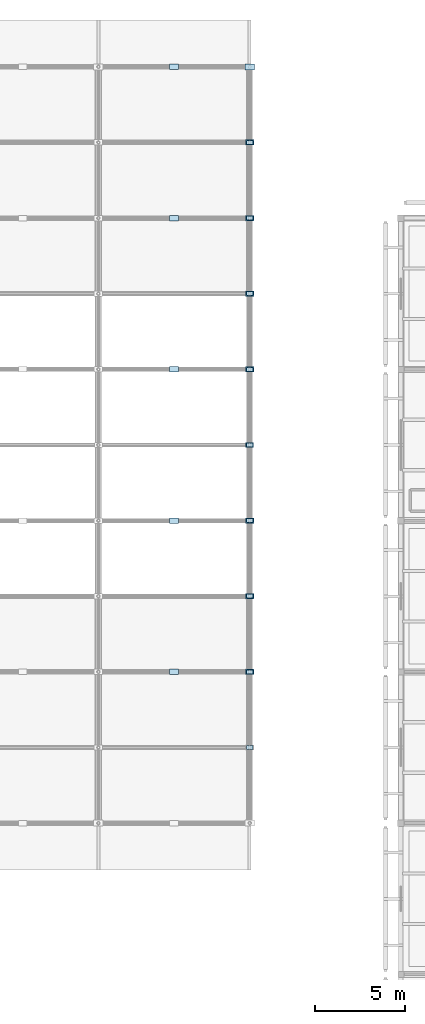
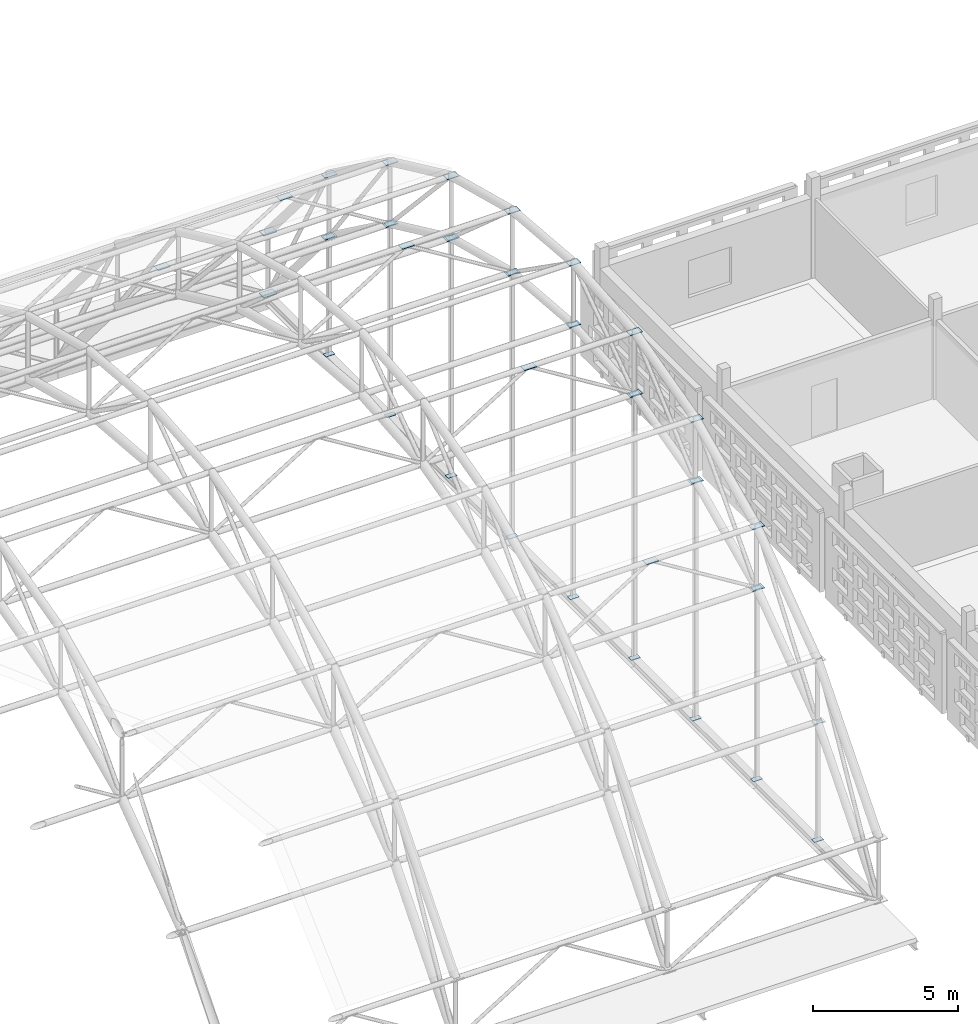
# One storey, part 68 of 103: 41 plates.
"""IFC4 building model written with IfcOpenShell, lengths in metres."""

import ifcopenshell
import ifcopenshell.guid

model = None  # the IFC model being written
_history = None  # IfcOwnerHistory: only IFC2X3 demands one
_inside = {}  # id of a spatial element -> (the spatial element, [elements in it])
_under = {}  # id of a project, library or spatial element -> (it, [spatial elements below it])
_declared = {}  # id of a project -> (the project, [libraries it declares])
_typed = {}  # id of a type object -> (the type object, [elements of that type])
_made_of = {}  # id of a material, layer set ... -> (it, [elements and type objects made of it])


def new_model(schema):
    """Start an empty IFC model of exactly this schema.

    Asked for "IFC4X3", IfcOpenShell would pick the latest addendum, in which some entities
    have other attributes; the version numbers below select the first issue.
    IFC2X3 requires an IfcOwnerHistory on every rooted entity: one is made here for all.
    """
    global model, _history
    if schema == "IFC4X3":
        model = ifcopenshell.file(schema_version=(4, 3, 0, 0))
    else:
        model = ifcopenshell.file(schema=schema)
    _inside.clear()
    _under.clear()
    _declared.clear()
    _typed.clear()
    _made_of.clear()
    _history = None
    if model.schema == "IFC2X3":
        org = make("IfcOrganization", Name="unknown")
        user = make(
            "IfcPersonAndOrganization",
            ThePerson=make("IfcPerson", FamilyName="unknown"),
            TheOrganization=org,
        )
        app = make(
            "IfcApplication",
            ApplicationDeveloper=org,
            Version="unknown",
            ApplicationFullName="unknown",
            ApplicationIdentifier="unknown",
        )
        _history = make(
            "IfcOwnerHistory",
            OwningUser=user,
            OwningApplication=app,
            ChangeAction="ADDED",
            CreationDate=0,
        )
    return model


def make(cls, **values):
    """One entity of the class cls with the attributes given. An attribute that is None is left unset."""
    return model.create_entity(
        cls, **{name: value for name, value in values.items() if value is not None}
    )


def rooted(cls, **values):
    """An entity with a GlobalId (a new one), such as an element, a storey or a relation."""
    return make(cls, GlobalId=ifcopenshell.guid.new(), OwnerHistory=_history, **values)


def si_unit(unit_type, name, prefix=None):
    """IfcSIUnit, for example si_unit("LENGTHUNIT", "METRE", prefix="MILLI")."""
    return make("IfcSIUnit", UnitType=unit_type, Prefix=prefix, Name=name)


def assignment(units):
    """IfcUnitAssignment: the units of a project."""
    return None if units is None else make("IfcUnitAssignment", Units=units)


def point(xyz):
    """IfcCartesianPoint."""
    return None if xyz is None else make("IfcCartesianPoint", Coordinates=xyz)


def direction(xyz):
    """IfcDirection."""
    return None if xyz is None else make("IfcDirection", DirectionRatios=xyz)


def frame(location, z_axis=None, x_axis=None):
    """IfcAxis2Placement3D, a coordinate frame: its origin and axes. An axis left out is left unset."""
    return make(
        "IfcAxis2Placement3D",
        Location=point(location),
        Axis=direction(z_axis),
        RefDirection=direction(x_axis),
    )


def frame_2d(location, x_axis=None):
    """IfcAxis2Placement2D, a coordinate frame in the plane: its origin and x axis."""
    return make(
        "IfcAxis2Placement2D", Location=point(location), RefDirection=direction(x_axis)
    )


def origin():
    """The frame at (0, 0, 0) with its axes left unset."""
    return frame((0.0, 0.0, 0.0))


def origin_2d():
    """The frame at (0, 0) in the plane with its x axis left unset."""
    return frame_2d((0.0, 0.0))


def place(relative_to, where):
    """IfcLocalPlacement: puts the frame where relative to a parent placement (None: the world)."""
    return make(
        "IfcLocalPlacement", PlacementRelTo=relative_to, RelativePlacement=where
    )


def context(
    kind, dimensions, precision=None, world=None, true_north=None, identifier=None
):
    """IfcGeometricRepresentationContext, for example the 3D "Model" context."""
    return make(
        "IfcGeometricRepresentationContext",
        ContextIdentifier=identifier,
        ContextType=kind,
        CoordinateSpaceDimension=dimensions,
        Precision=precision,
        WorldCoordinateSystem=world,
        TrueNorth=true_north,
    )


def subcontext(parent, identifier, kind, view, scale=None):
    """IfcGeometricRepresentationSubContext, for example "Body" below "Model"."""
    return make(
        "IfcGeometricRepresentationSubContext",
        ContextIdentifier=identifier,
        ContextType=kind,
        ParentContext=parent,
        TargetScale=scale,
        TargetView=view,
    )


def project(units=None, contexts=None):
    """IfcProject with its units and contexts."""
    return rooted(
        "IfcProject",
        Name="project",
        RepresentationContexts=contexts,
        UnitsInContext=assignment(units),
    )


def spatial(cls, under=None, at=None, **own):
    """A site, building, storey or space (cls), placed at a placement, below another one or the project."""
    s = rooted(cls, ObjectPlacement=at, **own)
    if under is not None:
        _under.setdefault(under.id(), (under, []))[1].append(s)
    return s


def profile(cls, at=None, kind="AREA", **sizes):
    """A parametric profile (cls). Its sizes go by their IFC names, for example OverallWidth=200.0."""
    return make(cls, ProfileType=kind, Position=at, **sizes)


def rectangle(**sizes):
    """IfcRectangleProfileDef."""
    return profile("IfcRectangleProfileDef", **sizes)


def extrude(swept, where, along, depth):
    """IfcExtrudedAreaSolid: the profile swept, set in the frame where, extruded along a direction by depth."""
    return make(
        "IfcExtrudedAreaSolid",
        SweptArea=swept,
        Position=where,
        ExtrudedDirection=direction(along),
        Depth=depth,
    )


def shape(context_of_items, identifier, shape_type, items):
    """IfcShapeRepresentation: the items that make up one representation, for example the "Body"."""
    return make(
        "IfcShapeRepresentation",
        ContextOfItems=context_of_items,
        RepresentationIdentifier=identifier,
        RepresentationType=shape_type,
        Items=items,
    )


def material(Name=None, Category=None):
    """IfcMaterial."""
    return make("IfcMaterial", Name=Name, Category=Category)


def layer(
    of_material, thickness, ventilated=None, Name=None, Category=None, Priority=None
):
    """IfcMaterialLayer: one layer of a wall or slab, of a material (None: an air gap)."""
    return make(
        "IfcMaterialLayer",
        Material=of_material,
        LayerThickness=thickness,
        IsVentilated=ventilated,
        Name=Name,
        Category=Category,
        Priority=Priority,
    )


def layer_set(layers, Name=None):
    """IfcMaterialLayerSet."""
    return make("IfcMaterialLayerSet", MaterialLayers=layers, LayerSetName=Name)


def made_of(thing, what):
    """Note that an element or type object is made of a material, layer set ...; save() writes the relation."""
    if what is not None:
        _made_of.setdefault(what.id(), (what, []))[1].append(thing)
    return thing


def type_object(cls, material=None, **own):
    """A type object (cls), such as IfcWallType, which elements share."""
    return made_of(rooted(cls, **own), material)


def element(
    cls,
    number,
    at=None,
    inside=None,
    cuts=None,
    type_object=None,
    material=None,
    context=None,
    identifier="Body",
    shape_type=None,
    held_by="IfcProductDefinitionShape",
    body=None,
    shapes=None,
    **own,
):
    """One element of the class cls, such as IfcWall. Its Tag is "e" and its number.

    at: its placement. inside: the storey or other place that contains it. cuts: it is an
    opening in that element (IfcRelVoidsElement). A single representation is given by context,
    identifier, shape_type and body (its items); several are given by shapes. held_by: the class
    of the entity that holds the representations. save() writes the other relations.
    """
    e = rooted(cls, Tag="e%d" % number, ObjectPlacement=at, **own)
    if body is not None:
        shapes = [shape(context, identifier, shape_type, body)]
    if shapes is not None:
        e.Representation = make(held_by, Representations=shapes)
    if inside is not None:
        _inside.setdefault(inside.id(), (inside, []))[1].append(e)
    if cuts is not None:
        rooted(
            "IfcRelVoidsElement", RelatingBuildingElement=cuts, RelatedOpeningElement=e
        )
    if type_object is not None:
        _typed.setdefault(type_object.id(), (type_object, []))[1].append(e)
    return made_of(e, material)


def aggregate(whole, parts):
    """IfcRelAggregates: a whole, such as a stair, and the parts it consists of."""
    return rooted("IfcRelAggregates", RelatingObject=whole, RelatedObjects=parts)


def save(model, path):
    """Write the relations noted so far, then the file.

    IfcRelAggregates (storeys below a building ...), IfcRelContainedInSpatialStructure (elements
    in a storey), IfcRelDefinesByType, IfcRelAssociatesMaterial and IfcRelDeclares: one each for
    every whole, place, type object, material and project.
    """
    for whole, parts in _under.values():
        aggregate(whole, parts)
    for where, things in _inside.values():
        rooted(
            "IfcRelContainedInSpatialStructure",
            RelatedElements=things,
            RelatingStructure=where,
        )
    for kind, things in _typed.values():
        rooted("IfcRelDefinesByType", RelatedObjects=things, RelatingType=kind)
    for what, things in _made_of.values():
        rooted("IfcRelAssociatesMaterial", RelatedObjects=things, RelatingMaterial=what)
    for by, libraries in _declared.values():
        rooted("IfcRelDeclares", RelatingContext=by, RelatedDefinitions=libraries)
    model.write(path)


model = new_model("IFC4")

# Units and contexts
model_context = context("Model", 3, precision=1e-05, world=origin(), true_north=direction((0.0, 1.0)))
body_context = subcontext(model_context, "Body", "Model", "MODEL_VIEW")
ifc_project = project(units=[si_unit("LENGTHUNIT", "METRE"), si_unit("AREAUNIT", "SQUARE_METRE"), si_unit("VOLUMEUNIT", "CUBIC_METRE"), si_unit("PLANEANGLEUNIT", "RADIAN"), si_unit("MASSUNIT", "GRAM", prefix="KILO")], contexts=[model_context])

# Site, building, storey
site_placement = place(None, origin())
site = spatial("IfcSite", under=ifc_project, at=site_placement, CompositionType="ELEMENT")
building_placement = place(site_placement, origin())
building = spatial("IfcBuilding", under=site, at=building_placement, Name="Varnapada Polytechnic", CompositionType="ELEMENT")
storey_placement = place(building_placement, frame((0.0, 0.0, 18.0)))
storey = spatial("IfcBuildingStorey", under=building, at=storey_placement, Name="L04", CompositionType="ELEMENT", Elevation=18.0)

# Plates
ifc_material = material(Name="Steel S355", Category="steel")
ifc_layer_1 = layer(ifc_material, 0.01611328125)
ifc_layer_set_1 = layer_set([ifc_layer_1], Name="Steel S355")
plate_type_1 = type_object("IfcPlateType", Name="Plate BP-07", PredefinedType="SHEET", material=ifc_layer_set_1)
for number, where, z_axis, x_axis, name in (
    (1, (134.39990234375, 88.199951171875, -0.008056640625), (0.0, 0.0, 1.0), (1.0, 0.0, 0.0), "Workshop arch tympanum post plate E.1.B"),
    (2, (134.39990234375, 88.199951171875, 4.941162109375), (0.0, 0.0, 1.0), (1.0, 0.0, 0.0), "Workshop arch tympanum post plate E.1.T"),
    (3, (134.39990234375, 92.39990234375, -0.008056640625), (0.0, 0.0, 1.0), (1.0, 0.0, 0.0), "Workshop arch tympanum post plate E.2.B"),
    (4, (134.39990234375, 92.39990234375, 8.019775390625), (0.0, 0.0, 1.0), (1.0, 0.0, 0.0), "Workshop arch tympanum post plate E.2.T"),
    (5, (134.39990234375, 96.60009765625, -0.008056640625), (0.0, 0.0, 1.0), (1.0, 0.0, 0.0), "Workshop arch tympanum post plate E.3.B"),
    (6, (134.39990234375, 96.60009765625, 9.973876953125), (0.0, 0.0, 1.0), (1.0, 0.0, 0.0), "Workshop arch tympanum post plate E.3.T"),
    (7, (134.39990234375, 100.800048828125, -0.008056640625), (0.0, 0.0, 1.0), (1.0, 0.0, 0.0), "Workshop arch tympanum post plate E.4.B"),
    (8, (134.39990234375, 100.800048828125, 11.072021484375), (0.0, 0.0, 1.0), (1.0, 0.0, 0.0), "Workshop arch tympanum post plate E.4.T"),
    (9, (134.39990234375, 105.0, -0.008056640625), (0.0, 0.0, 1.0), (1.0, 0.0, 0.0), "Workshop arch tympanum post plate E.5.B"),
    (10, (134.39990234375, 105.0, 11.42724609375), (0.0, 0.0, 1.0), (1.0, 0.0, 0.0), "Workshop arch tympanum post plate E.5.T"),
    (11, (134.39990234375, 109.199951171875, -0.008056640625), (0.0, 0.0, 1.0), (1.0, 0.0, 0.0), "Workshop arch tympanum post plate E.6.B"),
    (12, (134.39990234375, 109.199951171875, 11.072021484375), (0.0, 0.0, 1.0), (1.0, 0.0, 0.0), "Workshop arch tympanum post plate E.6.T"),
    (13, (134.39990234375, 113.39990234375, -0.008056640625), (0.0, 0.0, 1.0), (1.0, 0.0, 0.0), "Workshop arch tympanum post plate E.7.B"),
    (14, (134.39990234375, 113.39990234375, 9.973876953125), (0.0, 0.0, 1.0), (1.0, 0.0, 0.0), "Workshop arch tympanum post plate E.7.T"),
    (15, (134.39990234375, 117.60009765625, -0.008056640625), (0.0, 0.0, 1.0), (1.0, 0.0, 0.0), "Workshop arch tympanum post plate E.8.B"),
    (16, (134.39990234375, 117.60009765625, 8.019775390625), (0.0, 0.0, 1.0), (1.0, 0.0, 0.0), "Workshop arch tympanum post plate E.8.T"),
    (17, (134.39990234375, 121.800048828125, -0.008056640625), (0.0, 0.0, 1.0), (1.0, 0.0, 0.0), "Workshop arch tympanum post plate E.9.B"),
    (18, (134.39990234375, 121.800048828125, 4.941162109375), (0.0, 0.0, 1.0), (1.0, 0.0, 0.0), "Workshop arch tympanum post plate E.9.T"),
):
    element("IfcPlate", number, at=place(storey_placement, frame(where, z_axis=z_axis, x_axis=x_axis)), inside=storey, type_object=plate_type_1, Name=name, PredefinedType="SHEET", context=body_context, shape_type="SweptSolid", body=[
        extrude(rectangle(XDim=0.360107421875, YDim=0.219970703125, at=origin_2d()), origin(), (0.0, 0.0, 1.0), 0.01611328125),
    ])
ifc_layer_2 = layer(ifc_material, 0.02490234375)
ifc_layer_set_2 = layer_set([ifc_layer_2], Name="Steel S355")
plate_type_2 = type_object("IfcPlateType", Name="Plate NP-01", PredefinedType="USERDEFINED", material=ifc_layer_set_2)
for number, where, z_axis, x_axis, name in (
    (19, (130.199951171875, 92.39990234375, 10.615478515625), (0.0, 0.0, 1.0), (1.0, 0.0, 0.0), "Vaulted space frame mid-chord brace plate 10.3"),
    (20, (130.199951171875, 100.800048828125, 13.66748046875), (0.0, 0.0, 1.0), (1.0, 0.0, 0.0), "Vaulted space frame mid-chord brace plate 10.5"),
    (21, (130.199951171875, 109.199951171875, 13.66748046875), (0.0, 0.0, 1.0), (1.0, 0.0, 0.0), "Vaulted space frame mid-chord brace plate 10.7"),
    (22, (130.199951171875, 117.60009765625, 10.615478515625), (0.0, 0.0, 1.0), (1.0, 0.0, 0.0), "Vaulted space frame mid-chord brace plate 10.9"),
    (23, (130.199951171875, 126.0, 2.587646484375), (0.0, 0.0, 1.0), (1.0, 0.0, 0.0), "Vaulted space frame mid-chord brace plate 10.11"),
    (24, (134.39990234375, 92.39990234375, 8.015380859375), (0.0, 0.0, 1.0), (1.0, 0.0, 0.0), "Vaulted space frame bottom node plate 11.3"),
    (25, (134.39990234375, 92.39990234375, 10.615478515625), (0.0, 0.0, 1.0), (1.0, 0.0, 0.0), "Vaulted space frame top node plate 11.3"),
    (26, (134.39990234375, 96.60009765625, 9.969482421875), (0.0, 0.0, 1.0), (1.0, 0.0, 0.0), "Vaulted space frame bottom node plate 11.4"),
    (27, (134.39990234375, 96.60009765625, 12.5693359375), (0.0, 0.0, 1.0), (1.0, 0.0, 0.0), "Vaulted space frame top node plate 11.4"),
    (28, (134.39990234375, 100.800048828125, 11.067626953125), (0.0, 0.0, 1.0), (1.0, 0.0, 0.0), "Vaulted space frame bottom node plate 11.5"),
    (29, (134.39990234375, 100.800048828125, 13.66748046875), (0.0, 0.0, 1.0), (1.0, 0.0, 0.0), "Vaulted space frame top node plate 11.5"),
    (30, (134.39990234375, 109.199951171875, 11.067626953125), (0.0, 0.0, 1.0), (1.0, 0.0, 0.0), "Vaulted space frame bottom node plate 11.7"),
    (31, (134.39990234375, 109.199951171875, 13.66748046875), (0.0, 0.0, 1.0), (1.0, 0.0, 0.0), "Vaulted space frame top node plate 11.7"),
    (32, (134.39990234375, 113.39990234375, 9.969482421875), (0.0, 0.0, 1.0), (1.0, 0.0, 0.0), "Vaulted space frame bottom node plate 11.8"),
    (33, (134.39990234375, 113.39990234375, 12.5693359375), (0.0, 0.0, 1.0), (1.0, 0.0, 0.0), "Vaulted space frame top node plate 11.8"),
    (34, (134.39990234375, 117.60009765625, 8.015380859375), (0.0, 0.0, 1.0), (1.0, 0.0, 0.0), "Vaulted space frame bottom node plate 11.9"),
    (35, (134.39990234375, 117.60009765625, 10.615478515625), (0.0, 0.0, 1.0), (1.0, 0.0, 0.0), "Vaulted space frame top node plate 11.9"),
    (36, (134.39990234375, 121.800048828125, 4.936767578125), (0.0, 0.0, 1.0), (1.0, 0.0, 0.0), "Vaulted space frame bottom node plate 11.10"),
    (37, (134.39990234375, 121.800048828125, 7.53662109375), (0.0, 0.0, 1.0), (1.0, 0.0, 0.0), "Vaulted space frame top node plate 11.10"),
):
    element("IfcPlate", number, at=place(storey_placement, frame(where, z_axis=z_axis, x_axis=x_axis)), inside=storey, type_object=plate_type_2, Name=name, ObjectType="NODE_PLATE", PredefinedType="USERDEFINED", context=body_context, shape_type="SweptSolid", body=[
        extrude(rectangle(XDim=0.47998046875, YDim=0.300048828125, at=origin_2d()), origin(), (0.0, 0.0, 1.0), 0.02490234375),
    ])
ifc_layer_3 = layer(ifc_material, 0.028076171875)
ifc_layer_set_3 = layer_set([ifc_layer_3], Name="Steel S355")
plate_type_3 = type_object("IfcPlateType", Name="Plate NP-03", PredefinedType="USERDEFINED", material=ifc_layer_set_3)
for number, where, z_axis, x_axis, name in (
    (38, (134.39990234375, 126.0, -0.01416015625), (0.0, 0.0, 1.0), (1.0, 0.0, 0.0), "Vaulted space frame bottom node plate 11.11"),
    (39, (134.39990234375, 126.0, 2.5859375), (0.0, 0.0, 1.0), (1.0, 0.0, 0.0), "Vaulted space frame top node plate 11.11"),
):
    element("IfcPlate", number, at=place(storey_placement, frame(where, z_axis=z_axis, x_axis=x_axis)), inside=storey, type_object=plate_type_3, Name=name, ObjectType="NODE_PLATE", PredefinedType="USERDEFINED", context=body_context, shape_type="SweptSolid", body=[
        extrude(rectangle(XDim=0.52001953125, YDim=0.340087890625, at=origin_2d()), origin(), (0.0, 0.0, 1.0), 0.028076171875),
    ])
ifc_layer_4 = layer(ifc_material, 0.02392578125)
ifc_layer_set_4 = layer_set([ifc_layer_4], Name="Steel S355")
plate_type_4 = type_object("IfcPlateType", Name="Plate NP-05", PredefinedType="USERDEFINED", material=ifc_layer_set_4)
for number, where, z_axis, x_axis, name in (
    (40, (134.39990234375, 105.0, 11.42333984375), (0.0, 0.0, 1.0), (1.0, 0.0, 0.0), "Vaulted space frame bottom node plate 11.6"),
    (41, (134.39990234375, 105.0, 14.0234375), (0.0, 0.0, 1.0), (1.0, 0.0, 0.0), "Vaulted space frame top node plate 11.6"),
):
    element("IfcPlate", number, at=place(storey_placement, frame(where, z_axis=z_axis, x_axis=x_axis)), inside=storey, type_object=plate_type_4, Name=name, ObjectType="NODE_PLATE", PredefinedType="USERDEFINED", context=body_context, shape_type="SweptSolid", body=[
        extrude(rectangle(XDim=0.43994140625, YDim=0.280029296875, at=origin_2d()), origin(), (0.0, 0.0, 1.0), 0.02392578125),
    ])

save(model, "model.ifc")
